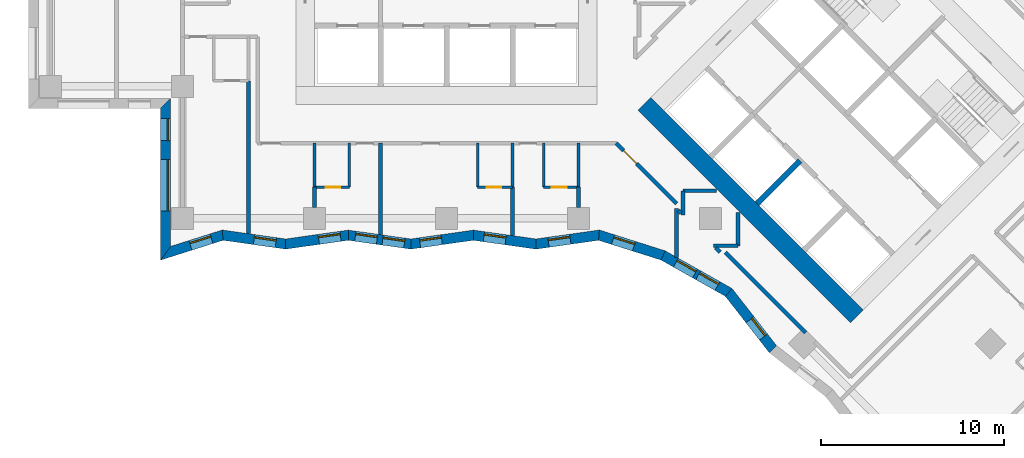
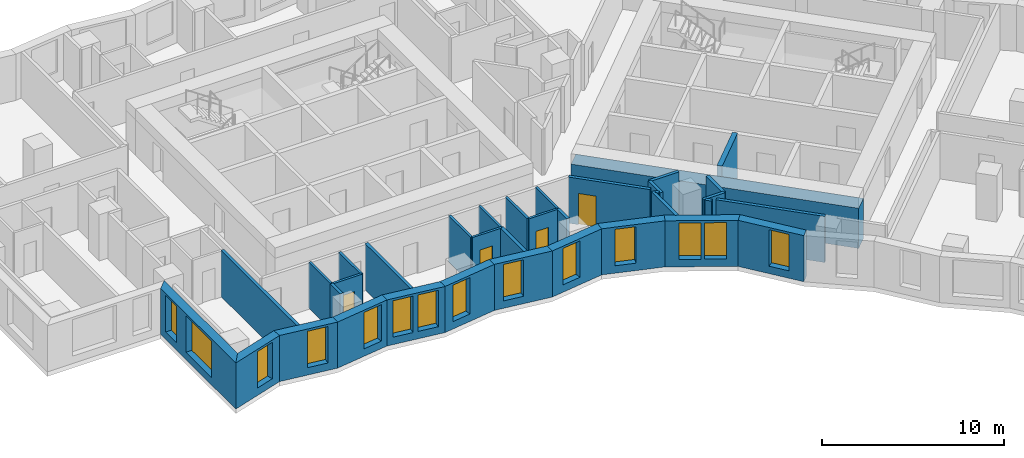
# One storey, part 2 of 12: 36 walls, 14 windows, 4 doors, 18 openings.
"""IFC4 building model written with IfcOpenShell, lengths in metres."""

from ifc_helpers import new_model, si_unit, direction, frame, frame_2d, origin, place, context, subcontext, project, spatial, polyline, rectangle, outline, extrude, material, layer, layer_set, type_object, element, fill, save


model = new_model("IFC4")

# Units and contexts
model_context = context("Model", 3, precision=1e-05, world=origin(), true_north=direction((0.0, 1.0)))
body_context = subcontext(model_context, "Body", "Model", "MODEL_VIEW")
ifc_project = project(units=[si_unit("LENGTHUNIT", "METRE"), si_unit("AREAUNIT", "SQUARE_METRE"), si_unit("VOLUMEUNIT", "CUBIC_METRE"), si_unit("PLANEANGLEUNIT", "RADIAN"), si_unit("MASSUNIT", "GRAM", prefix="KILO")], contexts=[model_context])

# Site, building, storey
site_placement = place(None, origin())
site = spatial("IfcSite", under=ifc_project, at=site_placement, CompositionType="ELEMENT")
building_placement = place(site_placement, origin())
building = spatial("IfcBuilding", under=site, at=building_placement, Name="Windrow Commons", CompositionType="ELEMENT")
storey_placement = place(building_placement, frame((0.0, 0.0, 47.4)))
storey = spatial("IfcBuildingStorey", under=building, at=storey_placement, Name="L12", CompositionType="ELEMENT", Elevation=47.4)

# Wall, openings, windows
ifc_material_1 = material(Name="Brick masonry, red clay brick", Category="masonry")
ifc_layer_1 = layer(ifc_material_1, 0.55)
ifc_layer_set_1 = layer_set([ifc_layer_1], Name="Brick facade wall 550")
wall_type_1 = type_object("IfcWallType", Name="Brick facade wall 550", PredefinedType="SOLIDWALL", material=ifc_layer_set_1)
wall_1_placement = place(storey_placement, frame((49.475, 49.475, 0.0), z_axis=(0.0, 0.0, 1.0), x_axis=(0.0, -1.0, 0.0)))
wall_1 = element("IfcWall", 1, at=wall_1_placement, inside=storey, type_object=wall_type_1, Name="Brick facade wall L12 45", PredefinedType="SOLIDWALL", context=body_context, shape_type="SweptSolid", body=[
    extrude(outline(polyline([(0.275, -0.275), (8.557, -0.275), (7.8057, 0.275), (-0.275, 0.275), (0.275, -0.275)])), origin(), (0.0, 0.0, 1.0), 3.1),
])
opening_1_placement = place(wall_1_placement, frame((3.075, 0.0, 0.5)))
opening_1 = element("IfcOpeningElement", 2, at=opening_1_placement, cuts=wall_1, Name="Opening W1T", PredefinedType="OPENING", context=body_context, shape_type="SweptSolid", body=[
    extrude(rectangle(XDim=2.8, YDim=2.45, at=frame_2d((1.4, 1.225))), frame((0.0, 0.285, 0.0), z_axis=(0.0, -1.0, 0.0), x_axis=(1.0, 0.0, 0.0)), (0.0, 0.0, 1.0), 0.57),
])
opening_2_placement = place(wall_1_placement, frame((0.8375, 0.0, 0.5)))
opening_2 = element("IfcOpeningElement", 3, at=opening_2_placement, cuts=wall_1, Name="Opening W7D", PredefinedType="OPENING", context=body_context, shape_type="SweptSolid", body=[
    extrude(rectangle(XDim=1.2, YDim=2.45, at=frame_2d((0.6, 1.225))), frame((0.0, 0.285, 0.0), z_axis=(0.0, -1.0, 0.0), x_axis=(1.0, 0.0, 0.0)), (0.0, 0.0, 1.0), 0.57),
])
ifc_material_2 = material(Name="Clear float glass in anodised aluminium frame", Category="aluminium")
window_type_1 = type_object("IfcWindowType", Name="Window W1T bedroom 2800x2450", PartitioningType="SINGLE_PANEL", PredefinedType="WINDOW", material=ifc_material_2)
window_1_placement = place(opening_1_placement, origin())
window_1 = element("IfcWindow", 4, at=window_1_placement, inside=storey, type_object=window_type_1, Name="Window L12 45.1", OverallHeight=2.45, OverallWidth=2.8, PartitioningType="SINGLE_PANEL", PredefinedType="WINDOW", context=body_context, shape_type="SweptSolid", body=[
    extrude(rectangle(XDim=2.8, YDim=2.45, at=frame_2d((1.4, 1.225))), frame((0.0, 0.155, 0.0), z_axis=(0.0, -1.0, 0.0), x_axis=(1.0, 0.0, 0.0)), (0.0, 0.0, 1.0), 0.06),
])
fill(opening_1, window_1)
ifc_material_3 = material(Name="Clear float glass in anodised aluminium frame", Category="aluminium")
window_type_2 = type_object("IfcWindowType", Name="Window W7 notch 1200x2450", PartitioningType="SINGLE_PANEL", PredefinedType="WINDOW", material=ifc_material_3)
window_2_placement = place(opening_2_placement, origin())
window_2 = element("IfcWindow", 5, at=window_2_placement, inside=storey, type_object=window_type_2, Name="Window L12 45.2", OverallHeight=2.45, OverallWidth=1.2, PartitioningType="SINGLE_PANEL", PredefinedType="WINDOW", context=body_context, shape_type="SweptSolid", body=[
    extrude(rectangle(XDim=1.2, YDim=2.45, at=frame_2d((0.6, 1.225))), frame((0.0, 0.155, 0.0), z_axis=(0.0, -1.0, 0.0), x_axis=(1.0, 0.0, 0.0)), (0.0, 0.0, 1.0), 0.06),
])
fill(opening_2, window_2)

# Wall, opening, window
wall_2_placement = place(storey_placement, frame((49.475, 41.2937, 0.0), z_axis=(0.0, 0.0, 1.0), x_axis=(0.9532643936, 0.3021373791, 0.0)))
wall_2 = element("IfcWall", 6, at=wall_2_placement, inside=storey, type_object=wall_type_1, Name="Brick facade wall L12 46", PredefinedType="SOLIDWALL", context=body_context, shape_type="SweptSolid", body=[
    extrude(outline(polyline([(-0.3757, -0.275), (3.2052, -0.275), (3.3303, 0.275), (0.3757, 0.275), (-0.3757, -0.275)])), origin(), (0.0, 0.0, 1.0), 3.1),
])
opening_3_placement = place(wall_2_placement, frame((1.419, 0.0, 0.5)))
opening_3 = element("IfcOpeningElement", 7, at=opening_3_placement, cuts=wall_2, Name="Opening W7D", PredefinedType="OPENING", context=body_context, shape_type="SweptSolid", body=[
    extrude(rectangle(XDim=1.2, YDim=2.45, at=frame_2d((0.6, 1.225))), frame((0.0, 0.285, 0.0), z_axis=(0.0, -1.0, 0.0), x_axis=(1.0, 0.0, 0.0)), (0.0, 0.0, 1.0), 0.57),
])
window_3_placement = place(opening_3_placement, origin())
window_3 = element("IfcWindow", 8, at=window_3_placement, inside=storey, type_object=window_type_2, Name="Window L12 46.1", OverallHeight=2.45, OverallWidth=1.2, PartitioningType="SINGLE_PANEL", PredefinedType="WINDOW", context=body_context, shape_type="SweptSolid", body=[
    extrude(rectangle(XDim=1.2, YDim=2.45, at=frame_2d((0.6, 1.225))), frame((0.0, 0.155, 0.0), z_axis=(0.0, -1.0, 0.0), x_axis=(1.0, 0.0, 0.0)), (0.0, 0.0, 1.0), 0.06),
])
fill(opening_3, window_3)

wall_3_placement = place(storey_placement, frame((52.59, 42.281, 0.0), z_axis=(0.0, 0.0, 1.0), x_axis=(0.9901775212, -0.1398158663, 0.0)))
wall_3 = element("IfcWall", 9, at=wall_3_placement, inside=storey, type_object=wall_type_1, Name="Brick facade wall L12 47", PredefinedType="SOLIDWALL", context=body_context, shape_type="SweptSolid", body=[
    extrude(outline(polyline([(0.0625, -0.275), (3.5099, -0.275), (3.4322, 0.275), (-0.0625, 0.275), (0.0625, -0.275)])), origin(), (0.0, 0.0, 1.0), 3.1),
])
opening_4_placement = place(wall_3_placement, frame((1.7281, 0.0, 0.5)))
opening_4 = element("IfcOpeningElement", 10, at=opening_4_placement, cuts=wall_3, Name="Opening W7D", PredefinedType="OPENING", context=body_context, shape_type="SweptSolid", body=[
    extrude(rectangle(XDim=1.2, YDim=2.45, at=frame_2d((0.6, 1.225))), frame((0.0, 0.285, 0.0), z_axis=(0.0, -1.0, 0.0), x_axis=(1.0, 0.0, 0.0)), (0.0, 0.0, 1.0), 0.57),
])
window_4_placement = place(opening_4_placement, origin())
window_4 = element("IfcWindow", 11, at=window_4_placement, inside=storey, type_object=window_type_2, Name="Window L12 47.1", OverallHeight=2.45, OverallWidth=1.2, PartitioningType="SINGLE_PANEL", PredefinedType="WINDOW", context=body_context, shape_type="SweptSolid", body=[
    extrude(rectangle(XDim=1.2, YDim=2.45, at=frame_2d((0.6, 1.225))), frame((0.0, 0.155, 0.0), z_axis=(0.0, -1.0, 0.0), x_axis=(1.0, 0.0, 0.0)), (0.0, 0.0, 1.0), 0.06),
])
fill(opening_4, window_4)

wall_4_placement = place(storey_placement, frame((56.0269, 41.7957, 0.0), z_axis=(0.0, 0.0, 1.0), x_axis=(0.9901773547, 0.1398170455, 0.0)))
wall_4 = element("IfcWall", 12, at=wall_4_placement, inside=storey, type_object=wall_type_1, Name="Brick facade wall L12 48", PredefinedType="SOLIDWALL", context=body_context, shape_type="SweptSolid", body=[
    extrude(outline(polyline([(-0.0388, -0.275), (3.4085, -0.275), (3.4862, 0.275), (0.0388, 0.275), (-0.0388, -0.275)])), origin(), (0.0, 0.0, 1.0), 3.1),
])
opening_5_placement = place(wall_4_placement, frame((1.818, 0.0, 0.5)))
opening_5 = element("IfcOpeningElement", 13, at=opening_5_placement, cuts=wall_4, Name="Opening W7D", PredefinedType="OPENING", context=body_context, shape_type="SweptSolid", body=[
    extrude(rectangle(XDim=1.2, YDim=2.45, at=frame_2d((0.6, 1.225))), frame((0.0, 0.285, 0.0), z_axis=(0.0, -1.0, 0.0), x_axis=(1.0, 0.0, 0.0)), (0.0, 0.0, 1.0), 0.57),
])
window_5_placement = place(opening_5_placement, origin())
window_5 = element("IfcWindow", 14, at=window_5_placement, inside=storey, type_object=window_type_2, Name="Window L12 48.1", OverallHeight=2.45, OverallWidth=1.2, PartitioningType="SINGLE_PANEL", PredefinedType="WINDOW", context=body_context, shape_type="SweptSolid", body=[
    extrude(rectangle(XDim=1.2, YDim=2.45, at=frame_2d((0.6, 1.225))), frame((0.0, 0.155, 0.0), z_axis=(0.0, -1.0, 0.0), x_axis=(1.0, 0.0, 0.0)), (0.0, 0.0, 1.0), 0.06),
])
fill(opening_5, window_5)

# Wall, openings, windows
wall_5_placement = place(storey_placement, frame((59.4404, 42.2777, 0.0), z_axis=(0.0, 0.0, 1.0), x_axis=(0.9901773547, -0.1398170455, 0.0)))
wall_5 = element("IfcWall", 15, at=wall_5_placement, inside=storey, type_object=wall_type_1, Name="Brick facade wall L12 49", PredefinedType="SOLIDWALL", context=body_context, shape_type="SweptSolid", body=[
    extrude(outline(polyline([(0.0388, -0.275), (3.4862, -0.275), (3.4085, 0.275), (-0.0388, 0.275), (0.0388, -0.275)])), origin(), (0.0, 0.0, 1.0), 3.1),
])
opening_6_placement = place(wall_5_placement, frame((0.3885, 0.0, 0.5)))
opening_6 = element("IfcOpeningElement", 16, at=opening_6_placement, cuts=wall_5, Name="Opening W7D", PredefinedType="OPENING", context=body_context, shape_type="SweptSolid", body=[
    extrude(rectangle(XDim=1.2, YDim=2.45, at=frame_2d((0.6, 1.225))), frame((0.0, 0.285, 0.0), z_axis=(0.0, -1.0, 0.0), x_axis=(1.0, 0.0, 0.0)), (0.0, 0.0, 1.0), 0.57),
])
opening_7_placement = place(wall_5_placement, frame((1.8928, 0.0, 0.5)))
opening_7 = element("IfcOpeningElement", 17, at=opening_7_placement, cuts=wall_5, Name="Opening W7D", PredefinedType="OPENING", context=body_context, shape_type="SweptSolid", body=[
    extrude(rectangle(XDim=1.2, YDim=2.45, at=frame_2d((0.6, 1.225))), frame((0.0, 0.285, 0.0), z_axis=(0.0, -1.0, 0.0), x_axis=(1.0, 0.0, 0.0)), (0.0, 0.0, 1.0), 0.57),
])
window_6_placement = place(opening_6_placement, origin())
window_6 = element("IfcWindow", 18, at=window_6_placement, inside=storey, type_object=window_type_2, Name="Window L12 49.1", OverallHeight=2.45, OverallWidth=1.2, PartitioningType="SINGLE_PANEL", PredefinedType="WINDOW", context=body_context, shape_type="SweptSolid", body=[
    extrude(rectangle(XDim=1.2, YDim=2.45, at=frame_2d((0.6, 1.225))), frame((0.0, 0.155, 0.0), z_axis=(0.0, -1.0, 0.0), x_axis=(1.0, 0.0, 0.0)), (0.0, 0.0, 1.0), 0.06),
])
fill(opening_6, window_6)
window_7_placement = place(opening_7_placement, origin())
window_7 = element("IfcWindow", 19, at=window_7_placement, inside=storey, type_object=window_type_2, Name="Window L12 49.2", OverallHeight=2.45, OverallWidth=1.2, PartitioningType="SINGLE_PANEL", PredefinedType="WINDOW", context=body_context, shape_type="SweptSolid", body=[
    extrude(rectangle(XDim=1.2, YDim=2.45, at=frame_2d((0.6, 1.225))), frame((0.0, 0.155, 0.0), z_axis=(0.0, -1.0, 0.0), x_axis=(1.0, 0.0, 0.0)), (0.0, 0.0, 1.0), 0.06),
])
fill(opening_7, window_7)

# Wall, opening, window
wall_6_placement = place(storey_placement, frame((62.8539, 41.7957, 0.0), z_axis=(0.0, 0.0, 1.0), x_axis=(0.9901767876, 0.1398210616, 0.0)))
wall_6 = element("IfcWall", 20, at=wall_6_placement, inside=storey, type_object=wall_type_1, Name="Brick facade wall L12 50", PredefinedType="SOLIDWALL", context=body_context, shape_type="SweptSolid", body=[
    extrude(outline(polyline([(-0.0388, -0.275), (3.4085, -0.275), (3.4862, 0.275), (0.0388, 0.275), (-0.0388, -0.275)])), origin(), (0.0, 0.0, 1.0), 3.1),
])
opening_8_placement = place(wall_6_placement, frame((0.5021, 0.0, 0.5)))
opening_8 = element("IfcOpeningElement", 21, at=opening_8_placement, cuts=wall_6, Name="Opening W7D", PredefinedType="OPENING", context=body_context, shape_type="SweptSolid", body=[
    extrude(rectangle(XDim=1.2, YDim=2.45, at=frame_2d((0.6, 1.225))), frame((0.0, 0.285, 0.0), z_axis=(0.0, -1.0, 0.0), x_axis=(1.0, 0.0, 0.0)), (0.0, 0.0, 1.0), 0.57),
])
window_8_placement = place(opening_8_placement, origin())
window_8 = element("IfcWindow", 22, at=window_8_placement, inside=storey, type_object=window_type_2, Name="Window L12 50.1", OverallHeight=2.45, OverallWidth=1.2, PartitioningType="SINGLE_PANEL", PredefinedType="WINDOW", context=body_context, shape_type="SweptSolid", body=[
    extrude(rectangle(XDim=1.2, YDim=2.45, at=frame_2d((0.6, 1.225))), frame((0.0, 0.155, 0.0), z_axis=(0.0, -1.0, 0.0), x_axis=(1.0, 0.0, 0.0)), (0.0, 0.0, 1.0), 0.06),
])
fill(opening_8, window_8)

wall_7_placement = place(storey_placement, frame((66.2673, 42.2777, 0.0), z_axis=(0.0, 0.0, 1.0), x_axis=(0.9901773547, -0.1398170455, 0.0)))
wall_7 = element("IfcWall", 23, at=wall_7_placement, inside=storey, type_object=wall_type_1, Name="Brick facade wall L12 51", PredefinedType="SOLIDWALL", context=body_context, shape_type="SweptSolid", body=[
    extrude(outline(polyline([(0.0388, -0.275), (3.4862, -0.275), (3.4085, 0.275), (-0.0388, 0.275), (0.0388, -0.275)])), origin(), (0.0, 0.0, 1.0), 3.1),
])
opening_9_placement = place(wall_7_placement, frame((0.5769, 0.0, 0.5)))
opening_9 = element("IfcOpeningElement", 24, at=opening_9_placement, cuts=wall_7, Name="Opening W7D", PredefinedType="OPENING", context=body_context, shape_type="SweptSolid", body=[
    extrude(rectangle(XDim=1.2, YDim=2.45, at=frame_2d((0.6, 1.225))), frame((0.0, 0.285, 0.0), z_axis=(0.0, -1.0, 0.0), x_axis=(1.0, 0.0, 0.0)), (0.0, 0.0, 1.0), 0.57),
])
window_9_placement = place(opening_9_placement, origin())
window_9 = element("IfcWindow", 25, at=window_9_placement, inside=storey, type_object=window_type_2, Name="Window L12 51.1", OverallHeight=2.45, OverallWidth=1.2, PartitioningType="SINGLE_PANEL", PredefinedType="WINDOW", context=body_context, shape_type="SweptSolid", body=[
    extrude(rectangle(XDim=1.2, YDim=2.45, at=frame_2d((0.6, 1.225))), frame((0.0, 0.155, 0.0), z_axis=(0.0, -1.0, 0.0), x_axis=(1.0, 0.0, 0.0)), (0.0, 0.0, 1.0), 0.06),
])
fill(opening_9, window_9)

wall_8_placement = place(storey_placement, frame((69.6808, 41.7957, 0.0), z_axis=(0.0, 0.0, 1.0), x_axis=(0.9901775212, 0.1398158663, 0.0)))
wall_8 = element("IfcWall", 26, at=wall_8_placement, inside=storey, type_object=wall_type_1, Name="Brick facade wall L12 52", PredefinedType="SOLIDWALL", context=body_context, shape_type="SweptSolid", body=[
    extrude(outline(polyline([(-0.0388, -0.275), (3.4085, -0.275), (3.5336, 0.275), (0.0388, 0.275), (-0.0388, -0.275)])), origin(), (0.0, 0.0, 1.0), 3.1),
])
opening_10_placement = place(wall_8_placement, frame((0.6905, 0.0, 0.5)))
opening_10 = element("IfcOpeningElement", 27, at=opening_10_placement, cuts=wall_8, Name="Opening W7D", PredefinedType="OPENING", context=body_context, shape_type="SweptSolid", body=[
    extrude(rectangle(XDim=1.2, YDim=2.45, at=frame_2d((0.6, 1.225))), frame((0.0, 0.285, 0.0), z_axis=(0.0, -1.0, 0.0), x_axis=(1.0, 0.0, 0.0)), (0.0, 0.0, 1.0), 0.57),
])
window_10_placement = place(opening_10_placement, origin())
window_10 = element("IfcWindow", 28, at=window_10_placement, inside=storey, type_object=window_type_2, Name="Window L12 52.1", OverallHeight=2.45, OverallWidth=1.2, PartitioningType="SINGLE_PANEL", PredefinedType="WINDOW", context=body_context, shape_type="SweptSolid", body=[
    extrude(rectangle(XDim=1.2, YDim=2.45, at=frame_2d((0.6, 1.225))), frame((0.0, 0.155, 0.0), z_axis=(0.0, -1.0, 0.0), x_axis=(1.0, 0.0, 0.0)), (0.0, 0.0, 1.0), 0.06),
])
fill(opening_10, window_10)

wall_9_placement = place(storey_placement, frame((73.1177, 42.281, 0.0), z_axis=(0.0, 0.0, 1.0), x_axis=(0.953263549, -0.3021400438, 0.0)))
wall_9 = element("IfcWall", 29, at=wall_9_placement, inside=storey, type_object=wall_type_1, Name="Brick facade wall L12 53", PredefinedType="SOLIDWALL", context=body_context, shape_type="SweptSolid", body=[
    extrude(outline(polyline([(0.0625, -0.275), (3.6434, -0.275), (3.7002, 0.275), (-0.0625, 0.275), (0.0625, -0.275)])), origin(), (0.0, 0.0, 1.0), 3.1),
])
opening_11_placement = place(wall_9_placement, frame((0.802, 0.0, 0.5)))
opening_11 = element("IfcOpeningElement", 30, at=opening_11_placement, cuts=wall_9, Name="Opening W7D", PredefinedType="OPENING", context=body_context, shape_type="SweptSolid", body=[
    extrude(rectangle(XDim=1.2, YDim=2.45, at=frame_2d((0.6, 1.225))), frame((0.0, 0.285, 0.0), z_axis=(0.0, -1.0, 0.0), x_axis=(1.0, 0.0, 0.0)), (0.0, 0.0, 1.0), 0.57),
])
window_11_placement = place(opening_11_placement, origin())
window_11 = element("IfcWindow", 31, at=window_11_placement, inside=storey, type_object=window_type_2, Name="Window L12 53.1", OverallHeight=2.45, OverallWidth=1.2, PartitioningType="SINGLE_PANEL", PredefinedType="WINDOW", context=body_context, shape_type="SweptSolid", body=[
    extrude(rectangle(XDim=1.2, YDim=2.45, at=frame_2d((0.6, 1.225))), frame((0.0, 0.155, 0.0), z_axis=(0.0, -1.0, 0.0), x_axis=(1.0, 0.0, 0.0)), (0.0, 0.0, 1.0), 0.06),
])
fill(opening_11, window_11)

# Wall, openings, windows
wall_10_placement = place(storey_placement, frame((76.6179, 41.1716, 0.0), z_axis=(0.0, 0.0, 1.0), x_axis=(0.8713014776, -0.4907481381, 0.0)))
wall_10 = element("IfcWall", 32, at=wall_10_placement, inside=storey, type_object=wall_type_1, Name="Brick facade wall L12 54", PredefinedType="SOLIDWALL", context=body_context, shape_type="SweptSolid", body=[
    extrude(outline(polyline([(0.0284, -0.275), (4.0493, -0.275), (4.1597, 0.275), (-0.0284, 0.275), (0.0284, -0.275)])), origin(), (0.0, 0.0, 1.0), 3.1),
])
opening_12_placement = place(wall_10_placement, frame((0.7946, 0.0, 0.5)))
opening_12 = element("IfcOpeningElement", 33, at=opening_12_placement, cuts=wall_10, Name="Opening W7D", PredefinedType="OPENING", context=body_context, shape_type="SweptSolid", body=[
    extrude(rectangle(XDim=1.2, YDim=2.45, at=frame_2d((0.6, 1.225))), frame((0.0, 0.285, 0.0), z_axis=(0.0, -1.0, 0.0), x_axis=(1.0, 0.0, 0.0)), (0.0, 0.0, 1.0), 0.57),
])
opening_13_placement = place(wall_10_placement, frame((2.1968, 0.0, 0.5)))
opening_13 = element("IfcOpeningElement", 34, at=opening_13_placement, cuts=wall_10, Name="Opening W7D", PredefinedType="OPENING", context=body_context, shape_type="SweptSolid", body=[
    extrude(rectangle(XDim=1.2, YDim=2.45, at=frame_2d((0.6, 1.225))), frame((0.0, 0.285, 0.0), z_axis=(0.0, -1.0, 0.0), x_axis=(1.0, 0.0, 0.0)), (0.0, 0.0, 1.0), 0.57),
])
window_12_placement = place(opening_12_placement, origin())
window_12 = element("IfcWindow", 35, at=window_12_placement, inside=storey, type_object=window_type_2, Name="Window L12 54.1", OverallHeight=2.45, OverallWidth=1.2, PartitioningType="SINGLE_PANEL", PredefinedType="WINDOW", context=body_context, shape_type="SweptSolid", body=[
    extrude(rectangle(XDim=1.2, YDim=2.45, at=frame_2d((0.6, 1.225))), frame((0.0, 0.155, 0.0), z_axis=(0.0, -1.0, 0.0), x_axis=(1.0, 0.0, 0.0)), (0.0, 0.0, 1.0), 0.06),
])
fill(opening_12, window_12)
window_13_placement = place(opening_13_placement, origin())
window_13 = element("IfcWindow", 36, at=window_13_placement, inside=storey, type_object=window_type_2, Name="Window L12 54.2", OverallHeight=2.45, OverallWidth=1.2, PartitioningType="SINGLE_PANEL", PredefinedType="WINDOW", context=body_context, shape_type="SweptSolid", body=[
    extrude(rectangle(XDim=1.2, YDim=2.45, at=frame_2d((0.6, 1.225))), frame((0.0, 0.155, 0.0), z_axis=(0.0, -1.0, 0.0), x_axis=(1.0, 0.0, 0.0)), (0.0, 0.0, 1.0), 0.06),
])
fill(opening_13, window_13)

# Wall, opening, window
wall_11_placement = place(storey_placement, frame((80.1942, 39.1573, 0.0), z_axis=(0.0, 0.0, 1.0), x_axis=(0.6143428557, -0.7890391978, 0.0)))
wall_11 = element("IfcWall", 37, at=wall_11_placement, inside=storey, type_object=wall_type_1, Name="Brick facade wall L12 55", PredefinedType="SOLIDWALL", context=body_context, shape_type="SweptSolid", body=[
    extrude(outline(polyline([(0.0552, -0.275), (3.9576, -0.275), (3.8892, 0.275), (-0.0552, 0.275), (0.0552, -0.275)])), origin(), (0.0, 0.0, 1.0), 3.1),
])
opening_14_placement = place(wall_11_placement, frame((1.8864, 0.0, 0.5)))
opening_14 = element("IfcOpeningElement", 38, at=opening_14_placement, cuts=wall_11, Name="Opening W7D", PredefinedType="OPENING", context=body_context, shape_type="SweptSolid", body=[
    extrude(rectangle(XDim=1.2, YDim=2.45, at=frame_2d((0.6, 1.225))), frame((0.0, 0.285, 0.0), z_axis=(0.0, -1.0, 0.0), x_axis=(1.0, 0.0, 0.0)), (0.0, 0.0, 1.0), 0.57),
])
window_14_placement = place(opening_14_placement, origin())
window_14 = element("IfcWindow", 39, at=window_14_placement, inside=storey, type_object=window_type_2, Name="Window L12 55.1", OverallHeight=2.45, OverallWidth=1.2, PartitioningType="SINGLE_PANEL", PredefinedType="WINDOW", context=body_context, shape_type="SweptSolid", body=[
    extrude(rectangle(XDim=1.2, YDim=2.45, at=frame_2d((0.6, 1.225))), frame((0.0, 0.155, 0.0), z_axis=(0.0, -1.0, 0.0), x_axis=(1.0, 0.0, 0.0)), (0.0, 0.0, 1.0), 0.06),
])
fill(opening_14, window_14)

# Wall
ifc_material_4 = material(Name="Blockwork partition", Category="masonry")
ifc_layer_2 = layer(ifc_material_4, 0.2)
ifc_layer_set_2 = layer_set([ifc_layer_2], Name="IW-CORRIDOR-200")
wall_type_2 = type_object("IfcWallType", Name="IW-CORRIDOR-200", PredefinedType="PARTITIONING", material=ifc_layer_set_2)
wall_12_placement = place(storey_placement, frame((80.0068, 41.3468, 0.0), z_axis=(0.0, 0.0, 1.0), x_axis=(0.7071067812, -0.7071067812, 0.0)))
element("IfcWall", 40, at=wall_12_placement, inside=storey, type_object=wall_type_2, Name="W-L12-W025", PredefinedType="PARTITIONING", context=body_context, shape_type="SweptSolid", body=[
    extrude(rectangle(XDim=6.2056, YDim=0.2, at=frame_2d((3.1028, 0.0))), origin(), (0.0, 0.0, 1.0), 3.1),
])

# Wall, opening, door
wall_13_placement = place(storey_placement, frame((74.0568, 47.2968, 0.0), z_axis=(0.0, 0.0, 1.0), x_axis=(0.7071067812, -0.7071067812, 0.0)))
wall_13 = element("IfcWall", 41, at=wall_13_placement, inside=storey, type_object=wall_type_2, Name="W-L12-W042", PredefinedType="PARTITIONING", context=body_context, shape_type="SweptSolid", body=[
    extrude(rectangle(XDim=4.6528, YDim=0.2, at=frame_2d((2.3264, 0.0))), origin(), (0.0, 0.0, 1.0), 3.1),
])
opening_15_placement = place(wall_13_placement, frame((0.5704, 0.0, 0.0)))
opening_15 = element("IfcOpeningElement", 42, at=opening_15_placement, cuts=wall_13, Name="Opening D310F", PredefinedType="OPENING", context=body_context, shape_type="SweptSolid", body=[
    extrude(rectangle(XDim=1.0, YDim=2.1, at=frame_2d((0.5, 1.05))), frame((0.0, 0.11, 0.0), z_axis=(0.0, -1.0, 0.0), x_axis=(1.0, 0.0, 0.0)), (0.0, 0.0, 1.0), 0.22),
])
ifc_material_5 = material(Name="Timber door leaf", Category="wood")
door_type_1 = type_object("IfcDoorType", Name="DT-AMENITY-1000", OperationType="SINGLE_SWING_LEFT", PredefinedType="DOOR", material=ifc_material_5)
door_1_placement = place(opening_15_placement, origin())
door_1 = element("IfcDoor", 43, at=door_1_placement, inside=storey, type_object=door_type_1, Name="D-L12-D031", OperationType="SINGLE_SWING_LEFT", OverallHeight=2.1, OverallWidth=1.0, PredefinedType="DOOR", context=body_context, shape_type="SweptSolid", body=[
    extrude(rectangle(XDim=1.0, YDim=2.1, at=frame_2d((0.5, 1.05))), frame((0.0, 0.025, 0.0), z_axis=(0.0, -1.0, 0.0), x_axis=(1.0, 0.0, 0.0)), (0.0, 0.0, 1.0), 0.05),
])
fill(opening_15, door_1)

# Walls
for number, where, z_axis, x_axis, name in (
    (44, (77.702, 44.7, 0.0), (0.0, 0.0, 1.0), (1.0, 0.0, 0.0), "W-L12-W125"),
    (45, (80.7, 41.702, 0.0), (0.0, 0.0, 1.0), (0.0, 1.0, 0.0), "W-L12-W126"),
):
    element("IfcWall", number, at=place(storey_placement, frame(where, z_axis=z_axis, x_axis=x_axis)), inside=storey, type_object=wall_type_2, Name=name, PredefinedType="PARTITIONING", context=body_context, shape_type="SweptSolid", body=[
        extrude(rectangle(XDim=1.814, YDim=0.2, at=frame_2d((0.907, 0.0))), origin(), (0.0, 0.0, 1.0), 3.1),
    ])
for number, where, z_axis, x_axis, name in (
    (46, (77.7, 43.378, 0.0), (0.0, 0.0, 1.0), (0.0, 1.0, 0.0), "W-L12-W139"),
    (47, (79.378, 41.7, 0.0), (0.0, 0.0, 1.0), (1.0, 0.0, 0.0), "W-L12-W140"),
):
    element("IfcWall", number, at=place(storey_placement, frame(where, z_axis=z_axis, x_axis=x_axis)), inside=storey, type_object=wall_type_2, Name=name, PredefinedType="PARTITIONING", context=body_context, shape_type="SweptSolid", body=[
        extrude(rectangle(XDim=1.322, YDim=0.2, at=frame_2d((0.661, 0.0))), origin(), (0.0, 0.0, 1.0), 3.1),
    ])
wall_14_placement = place(storey_placement, frame((77.4454, 43.6396, 0.0), z_axis=(0.0, 0.0, 1.0), x_axis=(0.7071067812, -0.7071067812, 0.0)))
element("IfcWall", 48, at=wall_14_placement, inside=storey, type_object=wall_type_2, Name="W-L12-W157", PredefinedType="PARTITIONING", context=body_context, shape_type="SweptSolid", body=[
    extrude(rectangle(XDim=0.225, YDim=0.2, at=frame_2d((0.1125, 0.0))), origin(), (0.0, 0.0, 1.0), 3.1),
])
wall_15_placement = place(storey_placement, frame((79.4805, 41.6045, 0.0), z_axis=(0.0, 0.0, 1.0), x_axis=(0.7071067812, -0.7071067812, 0.0)))
element("IfcWall", 49, at=wall_15_placement, inside=storey, type_object=wall_type_2, Name="W-L12-W158", PredefinedType="PARTITIONING", context=body_context, shape_type="SweptSolid", body=[
    extrude(rectangle(XDim=0.355, YDim=0.2, at=frame_2d((0.1775, 0.0))), origin(), (0.0, 0.0, 1.0), 3.1),
])
ifc_material_6 = material(Name="Blockwork partition", Category="masonry")
ifc_layer_3 = layer(ifc_material_6, 0.15)
ifc_layer_set_3 = layer_set([ifc_layer_3], Name="IW-ENSUITE-150")
wall_type_3 = type_object("IfcWallType", Name="IW-ENSUITE-150", PredefinedType="PARTITIONING", material=ifc_layer_set_3)
for number, where, z_axis, x_axis, name in (
    (50, (59.5, 44.9, 0.0), (0.0, 0.0, 1.0), (0.0, 1.0, 0.0), "W-L12-W074"),
    (51, (57.6, 44.9, 0.0), (0.0, 0.0, 1.0), (0.0, 1.0, 0.0), "W-L12-W075"),
    (52, (66.5, 44.9, 0.0), (0.0, 0.0, 1.0), (0.0, 1.0, 0.0), "W-L12-W076"),
    (53, (68.4, 44.9, 0.0), (0.0, 0.0, 1.0), (0.0, 1.0, 0.0), "W-L12-W077"),
    (54, (70.1, 44.9, 0.0), (0.0, 0.0, 1.0), (0.0, 1.0, 0.0), "W-L12-W078"),
    (55, (72.0, 44.9, 0.0), (0.0, 0.0, 1.0), (0.0, 1.0, 0.0), "W-L12-W079"),
):
    element("IfcWall", number, at=place(storey_placement, frame(where, z_axis=z_axis, x_axis=x_axis)), inside=storey, type_object=wall_type_3, Name=name, PredefinedType="PARTITIONING", context=body_context, shape_type="SweptSolid", body=[
        extrude(rectangle(XDim=2.4, YDim=0.15, at=frame_2d((1.2, 0.0))), origin(), (0.0, 0.0, 1.0), 3.1),
    ])

# Wall, opening, door
wall_16_placement = place(storey_placement, frame((66.5, 44.9, 0.0), z_axis=(0.0, 0.0, 1.0), x_axis=(1.0, 0.0, 0.0)))
wall_16 = element("IfcWall", 56, at=wall_16_placement, inside=storey, type_object=wall_type_3, Name="W-L12-W109", PredefinedType="PARTITIONING", context=body_context, shape_type="SweptSolid", body=[
    extrude(rectangle(XDim=1.9, YDim=0.15, at=frame_2d((0.95, 0.0))), origin(), (0.0, 0.0, 1.0), 3.1),
])
opening_16_placement = place(wall_16_placement, frame((0.4931, 0.0, 0.0)))
opening_16 = element("IfcOpeningElement", 57, at=opening_16_placement, cuts=wall_16, Name="Opening D208N", PredefinedType="OPENING", context=body_context, shape_type="SweptSolid", body=[
    extrude(rectangle(XDim=0.8, YDim=2.1, at=frame_2d((0.4, 1.05))), frame((0.0, 0.085, 0.0), z_axis=(0.0, -1.0, 0.0), x_axis=(1.0, 0.0, 0.0)), (0.0, 0.0, 1.0), 0.17),
])
ifc_material_7 = material(Name="Timber door leaf", Category="wood")
door_type_2 = type_object("IfcDoorType", Name="DT-ENSUITE-800", OperationType="SINGLE_SWING_LEFT", PredefinedType="DOOR", material=ifc_material_7)
door_2_placement = place(opening_16_placement, origin())
door_2 = element("IfcDoor", 58, at=door_2_placement, inside=storey, type_object=door_type_2, Name="D-L12-D028", OperationType="SINGLE_SWING_RIGHT", OverallHeight=2.1, OverallWidth=0.8, PredefinedType="DOOR", context=body_context, shape_type="SweptSolid", body=[
    extrude(rectangle(XDim=0.8, YDim=2.1, at=frame_2d((0.4, 1.05))), frame((0.0, 0.025, 0.0), z_axis=(0.0, -1.0, 0.0), x_axis=(1.0, 0.0, 0.0)), (0.0, 0.0, 1.0), 0.05),
])
fill(opening_16, door_2)

wall_17_placement = place(storey_placement, frame((70.1, 44.9, 0.0), z_axis=(0.0, 0.0, 1.0), x_axis=(1.0, 0.0, 0.0)))
wall_17 = element("IfcWall", 59, at=wall_17_placement, inside=storey, type_object=wall_type_3, Name="W-L12-W110", PredefinedType="PARTITIONING", context=body_context, shape_type="SweptSolid", body=[
    extrude(rectangle(XDim=1.9, YDim=0.15, at=frame_2d((0.95, 0.0))), origin(), (0.0, 0.0, 1.0), 3.1),
])
opening_17_placement = place(wall_17_placement, frame((0.4476, 0.0, 0.0)))
opening_17 = element("IfcOpeningElement", 60, at=opening_17_placement, cuts=wall_17, Name="Opening D208N", PredefinedType="OPENING", context=body_context, shape_type="SweptSolid", body=[
    extrude(rectangle(XDim=0.8, YDim=2.1, at=frame_2d((0.4, 1.05))), frame((0.0, 0.085, 0.0), z_axis=(0.0, -1.0, 0.0), x_axis=(1.0, 0.0, 0.0)), (0.0, 0.0, 1.0), 0.17),
])
door_3_placement = place(opening_17_placement, origin())
door_3 = element("IfcDoor", 61, at=door_3_placement, inside=storey, type_object=door_type_2, Name="D-L12-D030", OperationType="SINGLE_SWING_RIGHT", OverallHeight=2.1, OverallWidth=0.8, PredefinedType="DOOR", context=body_context, shape_type="SweptSolid", body=[
    extrude(rectangle(XDim=0.8, YDim=2.1, at=frame_2d((0.4, 1.05))), frame((0.0, 0.025, 0.0), z_axis=(0.0, -1.0, 0.0), x_axis=(1.0, 0.0, 0.0)), (0.0, 0.0, 1.0), 0.05),
])
fill(opening_17, door_3)

wall_18_placement = place(storey_placement, frame((57.6, 44.9, 0.0), z_axis=(0.0, 0.0, 1.0), x_axis=(1.0, 0.0, 0.0)))
wall_18 = element("IfcWall", 62, at=wall_18_placement, inside=storey, type_object=wall_type_3, Name="W-L12-W114", PredefinedType="PARTITIONING", context=body_context, shape_type="SweptSolid", body=[
    extrude(rectangle(XDim=1.9, YDim=0.15, at=frame_2d((0.95, 0.0))), origin(), (0.0, 0.0, 1.0), 3.1),
])
opening_18_placement = place(wall_18_placement, frame((0.6069, 0.0, 0.0)))
opening_18 = element("IfcOpeningElement", 63, at=opening_18_placement, cuts=wall_18, Name="Opening D208N", PredefinedType="OPENING", context=body_context, shape_type="SweptSolid", body=[
    extrude(rectangle(XDim=0.8, YDim=2.1, at=frame_2d((0.4, 1.05))), frame((0.0, 0.085, 0.0), z_axis=(0.0, -1.0, 0.0), x_axis=(1.0, 0.0, 0.0)), (0.0, 0.0, 1.0), 0.17),
])
door_4_placement = place(opening_18_placement, origin())
door_4 = element("IfcDoor", 64, at=door_4_placement, inside=storey, type_object=door_type_2, Name="D-L12-D026", OperationType="SINGLE_SWING_RIGHT", OverallHeight=2.1, OverallWidth=0.8, PredefinedType="DOOR", context=body_context, shape_type="SweptSolid", body=[
    extrude(rectangle(XDim=0.8, YDim=2.1, at=frame_2d((0.4, 1.05))), frame((0.0, 0.025, 0.0), z_axis=(0.0, -1.0, 0.0), x_axis=(1.0, 0.0, 0.0)), (0.0, 0.0, 1.0), 0.05),
])
fill(opening_18, door_4)

# Walls
ifc_material_8 = material(Name="Blockwork partition", Category="masonry")
ifc_layer_4 = layer(ifc_material_8, 0.2)
ifc_layer_set_4 = layer_set([ifc_layer_4], Name="IW-PARTY-200")
wall_type_4 = type_object("IfcWallType", Name="IW-PARTY-200", PredefinedType="PARTITIONING", material=ifc_layer_set_4)
wall_19_placement = place(storey_placement, frame((54.0, 42.3597, 0.0), z_axis=(0.0, 0.0, 1.0), x_axis=(0.0, 1.0, 0.0)))
element("IfcWall", 65, at=wall_19_placement, inside=storey, type_object=wall_type_4, Name="W-L12-W016", PredefinedType="PARTITIONING", context=body_context, shape_type="SweptSolid", body=[
    extrude(rectangle(XDim=8.3403, YDim=0.2, at=frame_2d((4.1701, 0.0))), origin(), (0.0, 0.0, 1.0), 3.1),
])
wall_20_placement = place(storey_placement, frame((61.2, 42.307, 0.0), z_axis=(0.0, 0.0, 1.0), x_axis=(0.0, 1.0, 0.0)))
element("IfcWall", 66, at=wall_20_placement, inside=storey, type_object=wall_type_4, Name="W-L12-W040", PredefinedType="PARTITIONING", context=body_context, shape_type="SweptSolid", body=[
    extrude(rectangle(XDim=4.993, YDim=0.2, at=frame_2d((2.4965, 0.0))), origin(), (0.0, 0.0, 1.0), 3.1),
])
wall_21_placement = place(storey_placement, frame((77.35, 41.0748, 0.0), z_axis=(0.0, 0.0, 1.0), x_axis=(0.0, 1.0, 0.0)))
element("IfcWall", 67, at=wall_21_placement, inside=storey, type_object=wall_type_4, Name="W-L12-W060", PredefinedType="PARTITIONING", context=body_context, shape_type="SweptSolid", body=[
    extrude(rectangle(XDim=2.6532, YDim=0.2, at=frame_2d((1.3266, 0.0))), origin(), (0.0, 0.0, 1.0), 3.1),
])
wall_22_placement = place(storey_placement, frame((68.4, 42.2543, 0.0), z_axis=(0.0, 0.0, 1.0), x_axis=(0.0, 1.0, 0.0)))
element("IfcWall", 68, at=wall_22_placement, inside=storey, type_object=wall_type_4, Name="W-L12-W061", PredefinedType="PARTITIONING", context=body_context, shape_type="SweptSolid", body=[
    extrude(rectangle(XDim=2.6457, YDim=0.2, at=frame_2d((1.3229, 0.0))), origin(), (0.0, 0.0, 1.0), 3.1),
])
for number, where, z_axis, x_axis, name in (
    (69, (57.6, 43.8, 0.0), (0.0, 0.0, 1.0), (0.0, 1.0, 0.0), "W-L12-W148"),
    (70, (72.0, 43.8, 0.0), (0.0, 0.0, 1.0), (0.0, 1.0, 0.0), "W-L12-W149"),
):
    element("IfcWall", number, at=place(storey_placement, frame(where, z_axis=z_axis, x_axis=x_axis)), inside=storey, type_object=wall_type_4, Name=name, PredefinedType="PARTITIONING", context=body_context, shape_type="SweptSolid", body=[
        extrude(rectangle(XDim=1.1, YDim=0.2, at=frame_2d((0.55, 0.0))), origin(), (0.0, 0.0, 1.0), 3.1),
    ])
ifc_material_9 = material(Name="Concrete C60/75", Category="concrete")
ifc_layer_5 = layer(ifc_material_9, 1.0)
ifc_layer_set_5 = layer_set([ifc_layer_5], Name="RC CORE WALL 1000 C60/75")
wall_type_5 = type_object("IfcWallType", Name="RC CORE WALL 1000 C60/75", PredefinedType="SHEAR", material=ifc_layer_set_5)
wall_23_placement = place(storey_placement, frame((75.5938, 49.4433, -0.3), z_axis=(0.0, 0.0, 1.0), x_axis=(0.7071037324, -0.70710983, 0.0)))
element("IfcWall", 71, at=wall_23_placement, inside=storey, type_object=wall_type_5, Name="Core B wall outer-S", PredefinedType="SHEAR", context=body_context, shape_type="SweptSolid", body=[
    extrude(rectangle(XDim=16.4, YDim=1.0, at=frame_2d((8.2, 0.0))), origin(), (0.0, 0.0, 1.0), 2.7),
])
ifc_material_10 = material(Name="Concrete C60/75", Category="concrete")
ifc_layer_6 = layer(ifc_material_10, 0.3)
ifc_layer_set_6 = layer_set([ifc_layer_6], Name="RC SHAFT WALL 300 C60/75")
wall_type_6 = type_object("IfcWallType", Name="RC SHAFT WALL 300 C60/75", PredefinedType="SOLIDWALL", material=ifc_layer_set_6)
wall_24_placement = place(storey_placement, frame((81.7456, 43.9986, 0.0), z_axis=(0.0, 0.0, 1.0), x_axis=(0.7071067812, 0.7071067812, 0.0)))
element("IfcWall", 72, at=wall_24_placement, inside=storey, type_object=wall_type_6, Name="Core B wall shaft-S2", PredefinedType="SOLIDWALL", context=body_context, shape_type="SweptSolid", body=[
    extrude(rectangle(XDim=3.2999, YDim=0.3, at=frame_2d((1.65, 0.0))), origin(), (0.0, 0.0, 1.0), 3.1),
])

save(model, "model.ifc")
